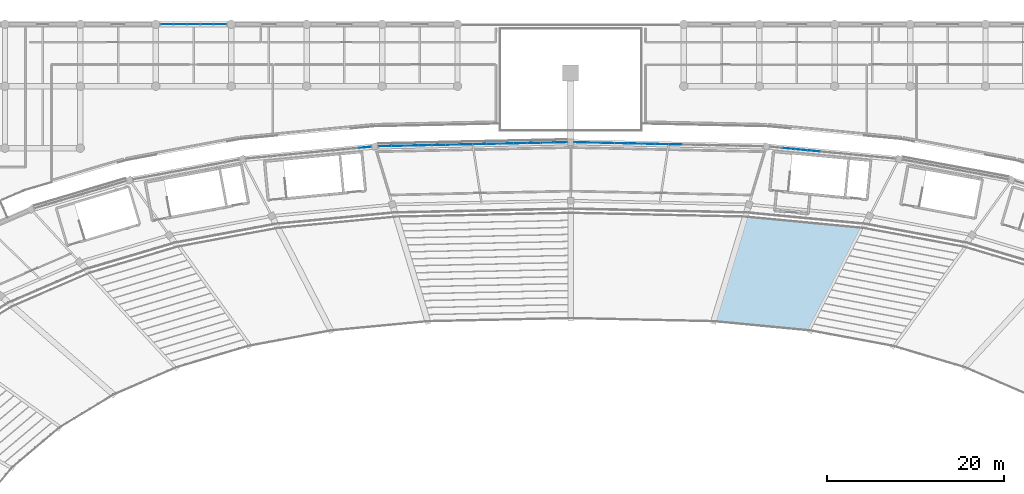
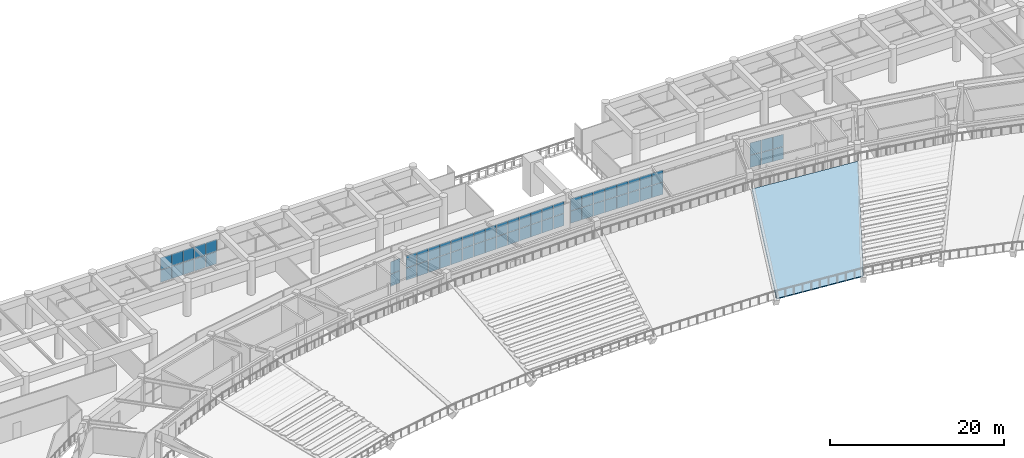
# One storey, part 87 of 137: 62 plates, 1 slab, 5 elements without a shape of their own.
"""IFC4 building model written with IfcOpenShell, lengths in metres."""

from ifc_helpers import new_model, si_unit, direction, frame, origin, origin_2d, place, context, subcontext, project, spatial, polyline, rectangle, outline, extrude, material, layer, layer_set, type_object, element, aggregate, save


model = new_model("IFC4")

# Units and contexts
model_context = context("Model", 3, precision=1e-05, world=origin(), true_north=direction((0.0, 1.0)))
body_context = subcontext(model_context, "Body", "Model", "MODEL_VIEW")
ifc_project = project(units=[si_unit("LENGTHUNIT", "METRE"), si_unit("AREAUNIT", "SQUARE_METRE"), si_unit("VOLUMEUNIT", "CUBIC_METRE"), si_unit("PLANEANGLEUNIT", "RADIAN"), si_unit("MASSUNIT", "GRAM", prefix="KILO")], contexts=[model_context])

# Site, building, storey
site_placement = place(None, origin())
site = spatial("IfcSite", under=ifc_project, at=site_placement, CompositionType="ELEMENT")
building_placement = place(site_placement, origin())
building = spatial("IfcBuilding", under=site, at=building_placement, Name="Mphavela Belvedere Stadium", CompositionType="ELEMENT")
storey_placement = place(building_placement, frame((0.0, 0.0, 19.199951171875)))
storey = spatial("IfcBuildingStorey", under=building, at=storey_placement, Name="L04", CompositionType="ELEMENT", Elevation=19.199951171875)

# Curtain wall, plates
ifc_material_1 = material(Name="Anodised bronze unitised curtain wall framing")
ifc_layer_1 = layer(ifc_material_1, 0.179931640625)
ifc_layer_set_1 = layer_set([ifc_layer_1], Name="Anodised bronze unitised curtain wall framing")
curtain_wall_type_1 = type_object("IfcCurtainWallType", Name="CW-UNIT-01", PredefinedType="USERDEFINED", material=ifc_layer_set_1)
curtain_wall_1_placement = place(storey_placement, origin())
curtain_wall_1 = element("IfcCurtainWall", 1, at=curtain_wall_1_placement, inside=storey, type_object=curtain_wall_type_1, Name="Belvedere colonnade curtain wall L04-11", ObjectType="UNITISED CURTAIN WALL", PredefinedType="USERDEFINED")
ifc_material_2 = material(Name="Solar-control double glazing", Category="glass")
ifc_layer_2 = layer(ifc_material_2, 0.031982421875)
ifc_layer_set_2 = layer_set([ifc_layer_2], Name="Solar-control double glazing")
plate_type = type_object("IfcPlateType", Name="CWP-SOLAR-GLASS", PredefinedType="CURTAIN_PANEL", material=ifc_layer_set_2)
plate_1_placement = place(storey_placement, frame((142.453857421875, 159.6845703125, 0.06005859375), z_axis=(0.0, 0.0, 1.0), x_axis=(-0.995483672335, 0.094932913757, 0.0)))
plate_1 = element("IfcPlate", 2, at=plate_1_placement, type_object=plate_type, Name="CW-01 panel 7.1", PredefinedType="CURTAIN_PANEL", context=body_context, shape_type="SweptSolid", body=[
    extrude(rectangle(XDim=1.367919921875, YDim=0.031982421875, at=origin_2d()), origin(), (0.0, 0.0, 1.0), 1.695068359375),
])
plate_2_placement = place(storey_placement, frame((142.453857421875, 159.6845703125, 1.81494140625), z_axis=(0.0, 0.0, 1.0), x_axis=(-0.995483672335, 0.094932913757, 0.0)))
plate_2 = element("IfcPlate", 3, at=plate_2_placement, type_object=plate_type, Name="CW-01 panel 7.2", PredefinedType="CURTAIN_PANEL", context=body_context, shape_type="SweptSolid", body=[
    extrude(rectangle(XDim=1.367919921875, YDim=0.031982421875, at=origin_2d()), origin(), (0.0, 0.0, 1.0), 1.695068359375),
])
plate_3_placement = place(storey_placement, frame((141.02734375, 159.82080078125, 0.06005859375), z_axis=(0.0, 0.0, 1.0), x_axis=(-0.995483672335, 0.094932913757, 0.0)))
plate_3 = element("IfcPlate", 4, at=plate_3_placement, type_object=plate_type, Name="CW-01 panel 8.1", PredefinedType="CURTAIN_PANEL", context=body_context, shape_type="SweptSolid", body=[
    extrude(rectangle(XDim=1.367919921875, YDim=0.031982421875, at=origin_2d()), origin(), (0.0, 0.0, 1.0), 1.695068359375),
])
plate_4_placement = place(storey_placement, frame((141.02734375, 159.82080078125, 1.81494140625), z_axis=(0.0, 0.0, 1.0), x_axis=(-0.995483672335, 0.094932913757, 0.0)))
plate_4 = element("IfcPlate", 5, at=plate_4_placement, type_object=plate_type, Name="CW-01 panel 8.2", PredefinedType="CURTAIN_PANEL", context=body_context, shape_type="SweptSolid", body=[
    extrude(rectangle(XDim=1.367919921875, YDim=0.031982421875, at=origin_2d()), origin(), (0.0, 0.0, 1.0), 1.695068359375),
])
plate_5_placement = place(storey_placement, frame((139.600830078125, 159.956787109375, 0.06005859375), z_axis=(0.0, 0.0, 1.0), x_axis=(-0.995483672335, 0.094932913757, 0.0)))
plate_5 = element("IfcPlate", 6, at=plate_5_placement, type_object=plate_type, Name="CW-01 panel 9.1", PredefinedType="CURTAIN_PANEL", context=body_context, shape_type="SweptSolid", body=[
    extrude(rectangle(XDim=1.367919921875, YDim=0.031982421875, at=origin_2d()), origin(), (0.0, 0.0, 1.0), 1.695068359375),
])
plate_6_placement = place(storey_placement, frame((139.600830078125, 159.956787109375, 1.81494140625), z_axis=(0.0, 0.0, 1.0), x_axis=(-0.995483672335, 0.094932913757, 0.0)))
plate_6 = element("IfcPlate", 7, at=plate_6_placement, type_object=plate_type, Name="CW-01 panel 9.2", PredefinedType="CURTAIN_PANEL", context=body_context, shape_type="SweptSolid", body=[
    extrude(rectangle(XDim=1.367919921875, YDim=0.031982421875, at=origin_2d()), origin(), (0.0, 0.0, 1.0), 1.695068359375),
])
aggregate(curtain_wall_1, [plate_1, plate_2, plate_3, plate_4, plate_5, plate_6])

ifc_material_3 = material(Name="Anodised bronze unitised curtain wall framing")
ifc_layer_3 = layer(ifc_material_3, 0.18505859375)
ifc_layer_set_3 = layer_set([ifc_layer_3], Name="Anodised bronze unitised curtain wall framing")
curtain_wall_type_2 = type_object("IfcCurtainWallType", Name="CW-UNIT-02", PredefinedType="USERDEFINED", material=ifc_layer_set_3)
curtain_wall_2_placement = place(storey_placement, origin())
curtain_wall_2 = element("IfcCurtainWall", 8, at=curtain_wall_2_placement, inside=storey, type_object=curtain_wall_type_2, Name="Belvedere colonnade curtain wall L04-12", ObjectType="UNITISED CURTAIN WALL", PredefinedType="USERDEFINED")
plate_7_placement = place(storey_placement, frame((126.822265625, 160.41552734375, 0.06005859375), z_axis=(0.0, 0.0, 1.0), x_axis=(-0.999768256617, 0.021527495473, 0.0)))
plate_7 = element("IfcPlate", 9, at=plate_7_placement, type_object=plate_type, Name="CW-02 panel 7.1", PredefinedType="CURTAIN_PANEL", context=body_context, shape_type="SweptSolid", body=[
    extrude(rectangle(XDim=1.46533203125, YDim=0.031982421875, at=origin_2d()), origin(), (0.0, 0.0, 1.0), 1.695068359375),
])
plate_8_placement = place(storey_placement, frame((126.822265625, 160.41552734375, 1.81494140625), z_axis=(0.0, 0.0, 1.0), x_axis=(-0.999768256617, 0.021527495473, 0.0)))
plate_8 = element("IfcPlate", 10, at=plate_8_placement, type_object=plate_type, Name="CW-02 panel 7.2", PredefinedType="CURTAIN_PANEL", context=body_context, shape_type="SweptSolid", body=[
    extrude(rectangle(XDim=1.46533203125, YDim=0.031982421875, at=origin_2d()), origin(), (0.0, 0.0, 1.0), 1.695068359375),
])
plate_9_placement = place(storey_placement, frame((125.292236328125, 160.448486328125, 0.06005859375), z_axis=(0.0, 0.0, 1.0), x_axis=(-0.999768256617, 0.021527495473, 0.0)))
plate_9 = element("IfcPlate", 11, at=plate_9_placement, type_object=plate_type, Name="CW-02 panel 8.1", PredefinedType="CURTAIN_PANEL", context=body_context, shape_type="SweptSolid", body=[
    extrude(rectangle(XDim=1.46533203125, YDim=0.031982421875, at=origin_2d()), origin(), (0.0, 0.0, 1.0), 1.695068359375),
])
plate_10_placement = place(storey_placement, frame((125.292236328125, 160.448486328125, 1.81494140625), z_axis=(0.0, 0.0, 1.0), x_axis=(-0.999768256617, 0.021527495473, 0.0)))
plate_10 = element("IfcPlate", 12, at=plate_10_placement, type_object=plate_type, Name="CW-02 panel 8.2", PredefinedType="CURTAIN_PANEL", context=body_context, shape_type="SweptSolid", body=[
    extrude(rectangle(XDim=1.46533203125, YDim=0.031982421875, at=origin_2d()), origin(), (0.0, 0.0, 1.0), 1.695068359375),
])
plate_11_placement = place(storey_placement, frame((123.762451171875, 160.481201171875, 0.06005859375), z_axis=(0.0, 0.0, 1.0), x_axis=(-0.999768256617, 0.021527495473, 0.0)))
plate_11 = element("IfcPlate", 13, at=plate_11_placement, type_object=plate_type, Name="CW-02 panel 9.1", PredefinedType="CURTAIN_PANEL", context=body_context, shape_type="SweptSolid", body=[
    extrude(rectangle(XDim=1.46533203125, YDim=0.031982421875, at=origin_2d()), origin(), (0.0, 0.0, 1.0), 1.695068359375),
])
plate_12_placement = place(storey_placement, frame((123.762451171875, 160.481201171875, 1.81494140625), z_axis=(0.0, 0.0, 1.0), x_axis=(-0.999768256617, 0.021527495473, 0.0)))
plate_12 = element("IfcPlate", 14, at=plate_12_placement, type_object=plate_type, Name="CW-02 panel 9.2", PredefinedType="CURTAIN_PANEL", context=body_context, shape_type="SweptSolid", body=[
    extrude(rectangle(XDim=1.46533203125, YDim=0.031982421875, at=origin_2d()), origin(), (0.0, 0.0, 1.0), 1.695068359375),
])
plate_13_placement = place(storey_placement, frame((122.232421875, 160.51416015625, 0.06005859375), z_axis=(0.0, 0.0, 1.0), x_axis=(-0.999768256617, 0.021527495473, 0.0)))
plate_13 = element("IfcPlate", 15, at=plate_13_placement, type_object=plate_type, Name="CW-02 panel 10.1", PredefinedType="CURTAIN_PANEL", context=body_context, shape_type="SweptSolid", body=[
    extrude(rectangle(XDim=1.46533203125, YDim=0.031982421875, at=origin_2d()), origin(), (0.0, 0.0, 1.0), 1.695068359375),
])
plate_14_placement = place(storey_placement, frame((122.232421875, 160.51416015625, 1.81494140625), z_axis=(0.0, 0.0, 1.0), x_axis=(-0.999768256617, 0.021527495473, 0.0)))
plate_14 = element("IfcPlate", 16, at=plate_14_placement, type_object=plate_type, Name="CW-02 panel 10.2", PredefinedType="CURTAIN_PANEL", context=body_context, shape_type="SweptSolid", body=[
    extrude(rectangle(XDim=1.46533203125, YDim=0.031982421875, at=origin_2d()), origin(), (0.0, 0.0, 1.0), 1.695068359375),
])
plate_15_placement = place(storey_placement, frame((120.70263671875, 160.547119140625, 0.06005859375), z_axis=(0.0, 0.0, 1.0), x_axis=(-0.999768256617, 0.021527495473, 0.0)))
plate_15 = element("IfcPlate", 17, at=plate_15_placement, type_object=plate_type, Name="CW-02 panel 11.1", PredefinedType="CURTAIN_PANEL", context=body_context, shape_type="SweptSolid", body=[
    extrude(rectangle(XDim=1.46533203125, YDim=0.031982421875, at=origin_2d()), origin(), (0.0, 0.0, 1.0), 1.695068359375),
])
plate_16_placement = place(storey_placement, frame((120.70263671875, 160.547119140625, 1.81494140625), z_axis=(0.0, 0.0, 1.0), x_axis=(-0.999768256617, 0.021527495473, 0.0)))
plate_16 = element("IfcPlate", 18, at=plate_16_placement, type_object=plate_type, Name="CW-02 panel 11.2", PredefinedType="CURTAIN_PANEL", context=body_context, shape_type="SweptSolid", body=[
    extrude(rectangle(XDim=1.46533203125, YDim=0.031982421875, at=origin_2d()), origin(), (0.0, 0.0, 1.0), 1.695068359375),
])
plate_17_placement = place(storey_placement, frame((119.172607421875, 160.580078125, 0.06005859375), z_axis=(0.0, 0.0, 1.0), x_axis=(-0.999768256617, 0.021527495473, 0.0)))
plate_17 = element("IfcPlate", 19, at=plate_17_placement, type_object=plate_type, Name="CW-02 panel 12.1", PredefinedType="CURTAIN_PANEL", context=body_context, shape_type="SweptSolid", body=[
    extrude(rectangle(XDim=1.46533203125, YDim=0.031982421875, at=origin_2d()), origin(), (0.0, 0.0, 1.0), 1.695068359375),
])
plate_18_placement = place(storey_placement, frame((119.172607421875, 160.580078125, 1.81494140625), z_axis=(0.0, 0.0, 1.0), x_axis=(-0.999768256617, 0.021527495473, 0.0)))
plate_18 = element("IfcPlate", 20, at=plate_18_placement, type_object=plate_type, Name="CW-02 panel 12.2", PredefinedType="CURTAIN_PANEL", context=body_context, shape_type="SweptSolid", body=[
    extrude(rectangle(XDim=1.46533203125, YDim=0.031982421875, at=origin_2d()), origin(), (0.0, 0.0, 1.0), 1.695068359375),
])
plate_19_placement = place(storey_placement, frame((117.642822265625, 160.613037109375, 0.06005859375), z_axis=(0.0, 0.0, 1.0), x_axis=(-0.999768256617, 0.021527495473, 0.0)))
plate_19 = element("IfcPlate", 21, at=plate_19_placement, type_object=plate_type, Name="CW-02 panel 13.1", PredefinedType="CURTAIN_PANEL", context=body_context, shape_type="SweptSolid", body=[
    extrude(rectangle(XDim=1.46533203125, YDim=0.031982421875, at=origin_2d()), origin(), (0.0, 0.0, 1.0), 1.695068359375),
])
plate_20_placement = place(storey_placement, frame((117.642822265625, 160.613037109375, 1.81494140625), z_axis=(0.0, 0.0, 1.0), x_axis=(-0.999768256617, 0.021527495473, 0.0)))
plate_20 = element("IfcPlate", 22, at=plate_20_placement, type_object=plate_type, Name="CW-02 panel 13.2", PredefinedType="CURTAIN_PANEL", context=body_context, shape_type="SweptSolid", body=[
    extrude(rectangle(XDim=1.46533203125, YDim=0.031982421875, at=origin_2d()), origin(), (0.0, 0.0, 1.0), 1.695068359375),
])
plate_21_placement = place(storey_placement, frame((116.129150390625, 160.645751953125, 0.06005859375), z_axis=(0.0, 0.0, 1.0), x_axis=(-0.999768256617, 0.021527495473, 0.0)))
plate_21 = element("IfcPlate", 23, at=plate_21_placement, type_object=plate_type, Name="CW-02 panel 14.1", PredefinedType="CURTAIN_PANEL", context=body_context, shape_type="SweptSolid", body=[
    extrude(rectangle(XDim=1.432861328125, YDim=0.031982421875, at=origin_2d()), origin(), (0.0, 0.0, 1.0), 1.695068359375),
])
plate_22_placement = place(storey_placement, frame((116.129150390625, 160.645751953125, 1.81494140625), z_axis=(0.0, 0.0, 1.0), x_axis=(-0.999768256617, 0.021527495473, 0.0)))
plate_22 = element("IfcPlate", 24, at=plate_22_placement, type_object=plate_type, Name="CW-02 panel 14.2", PredefinedType="CURTAIN_PANEL", context=body_context, shape_type="SweptSolid", body=[
    extrude(rectangle(XDim=1.432861328125, YDim=0.031982421875, at=origin_2d()), origin(), (0.0, 0.0, 1.0), 1.695068359375),
])
aggregate(curtain_wall_2, [plate_7, plate_8, plate_9, plate_10, plate_11, plate_12, plate_13, plate_14, plate_15, plate_16, plate_17, plate_18, plate_19, plate_20, plate_21, plate_22])

ifc_material_4 = material(Name="Anodised bronze unitised curtain wall framing")
ifc_layer_4 = layer(ifc_material_4, 0.18994140625)
ifc_layer_set_4 = layer_set([ifc_layer_4], Name="Anodised bronze unitised curtain wall framing")
curtain_wall_type_3 = type_object("IfcCurtainWallType", Name="CW-UNIT-03", PredefinedType="USERDEFINED", material=ifc_layer_set_4)
curtain_wall_3_placement = place(storey_placement, origin())
curtain_wall_3 = element("IfcCurtainWall", 25, at=curtain_wall_3_placement, inside=storey, type_object=curtain_wall_type_3, Name="Belvedere colonnade curtain wall L04-13", ObjectType="UNITISED CURTAIN WALL", PredefinedType="USERDEFINED")
plate_23_placement = place(storey_placement, frame((113.870849609375, 160.645751953125, 0.06005859375), z_axis=(0.0, 0.0, 1.0), x_axis=(-0.999768256617, -0.021527495473, 0.0)))
plate_23 = element("IfcPlate", 26, at=plate_23_placement, type_object=plate_type, Name="CW-03 panel 1.1", PredefinedType="CURTAIN_PANEL", context=body_context, shape_type="SweptSolid", body=[
    extrude(rectangle(XDim=1.432861328125, YDim=0.031982421875, at=origin_2d()), origin(), (0.0, 0.0, 1.0), 1.695068359375),
])
plate_24_placement = place(storey_placement, frame((113.870849609375, 160.645751953125, 1.81494140625), z_axis=(0.0, 0.0, 1.0), x_axis=(-0.999768256617, -0.021527495473, 0.0)))
plate_24 = element("IfcPlate", 27, at=plate_24_placement, type_object=plate_type, Name="CW-03 panel 1.2", PredefinedType="CURTAIN_PANEL", context=body_context, shape_type="SweptSolid", body=[
    extrude(rectangle(XDim=1.432861328125, YDim=0.031982421875, at=origin_2d()), origin(), (0.0, 0.0, 1.0), 1.695068359375),
])
plate_25_placement = place(storey_placement, frame((112.357177734375, 160.613037109375, 0.06005859375), z_axis=(0.0, 0.0, 1.0), x_axis=(-0.999768256617, -0.021527495473, 0.0)))
plate_25 = element("IfcPlate", 28, at=plate_25_placement, type_object=plate_type, Name="CW-03 panel 2.1", PredefinedType="CURTAIN_PANEL", context=body_context, shape_type="SweptSolid", body=[
    extrude(rectangle(XDim=1.46533203125, YDim=0.031982421875, at=origin_2d()), origin(), (0.0, 0.0, 1.0), 1.695068359375),
])
plate_26_placement = place(storey_placement, frame((112.357177734375, 160.613037109375, 1.81494140625), z_axis=(0.0, 0.0, 1.0), x_axis=(-0.999768256617, -0.021527495473, 0.0)))
plate_26 = element("IfcPlate", 29, at=plate_26_placement, type_object=plate_type, Name="CW-03 panel 2.2", PredefinedType="CURTAIN_PANEL", context=body_context, shape_type="SweptSolid", body=[
    extrude(rectangle(XDim=1.46533203125, YDim=0.031982421875, at=origin_2d()), origin(), (0.0, 0.0, 1.0), 1.695068359375),
])
plate_27_placement = place(storey_placement, frame((110.827392578125, 160.580078125, 0.06005859375), z_axis=(0.0, 0.0, 1.0), x_axis=(-0.999768256617, -0.021527495473, 0.0)))
plate_27 = element("IfcPlate", 30, at=plate_27_placement, type_object=plate_type, Name="CW-03 panel 3.1", PredefinedType="CURTAIN_PANEL", context=body_context, shape_type="SweptSolid", body=[
    extrude(rectangle(XDim=1.46533203125, YDim=0.031982421875, at=origin_2d()), origin(), (0.0, 0.0, 1.0), 1.695068359375),
])
plate_28_placement = place(storey_placement, frame((110.827392578125, 160.580078125, 1.81494140625), z_axis=(0.0, 0.0, 1.0), x_axis=(-0.999768256617, -0.021527495473, 0.0)))
plate_28 = element("IfcPlate", 31, at=plate_28_placement, type_object=plate_type, Name="CW-03 panel 3.2", PredefinedType="CURTAIN_PANEL", context=body_context, shape_type="SweptSolid", body=[
    extrude(rectangle(XDim=1.46533203125, YDim=0.031982421875, at=origin_2d()), origin(), (0.0, 0.0, 1.0), 1.695068359375),
])
plate_29_placement = place(storey_placement, frame((109.29736328125, 160.547119140625, 0.06005859375), z_axis=(0.0, 0.0, 1.0), x_axis=(-0.999768256617, -0.021527495473, 0.0)))
plate_29 = element("IfcPlate", 32, at=plate_29_placement, type_object=plate_type, Name="CW-03 panel 4.1", PredefinedType="CURTAIN_PANEL", context=body_context, shape_type="SweptSolid", body=[
    extrude(rectangle(XDim=1.46533203125, YDim=0.031982421875, at=origin_2d()), origin(), (0.0, 0.0, 1.0), 1.695068359375),
])
plate_30_placement = place(storey_placement, frame((109.29736328125, 160.547119140625, 1.81494140625), z_axis=(0.0, 0.0, 1.0), x_axis=(-0.999768256617, -0.021527495473, 0.0)))
plate_30 = element("IfcPlate", 33, at=plate_30_placement, type_object=plate_type, Name="CW-03 panel 4.2", PredefinedType="CURTAIN_PANEL", context=body_context, shape_type="SweptSolid", body=[
    extrude(rectangle(XDim=1.46533203125, YDim=0.031982421875, at=origin_2d()), origin(), (0.0, 0.0, 1.0), 1.695068359375),
])
plate_31_placement = place(storey_placement, frame((107.767578125, 160.51416015625, 0.06005859375), z_axis=(0.0, 0.0, 1.0), x_axis=(-0.999768256617, -0.021527495473, 0.0)))
plate_31 = element("IfcPlate", 34, at=plate_31_placement, type_object=plate_type, Name="CW-03 panel 5.1", PredefinedType="CURTAIN_PANEL", context=body_context, shape_type="SweptSolid", body=[
    extrude(rectangle(XDim=1.46533203125, YDim=0.031982421875, at=origin_2d()), origin(), (0.0, 0.0, 1.0), 1.695068359375),
])
plate_32_placement = place(storey_placement, frame((107.767578125, 160.51416015625, 1.81494140625), z_axis=(0.0, 0.0, 1.0), x_axis=(-0.999768256617, -0.021527495473, 0.0)))
plate_32 = element("IfcPlate", 35, at=plate_32_placement, type_object=plate_type, Name="CW-03 panel 5.2", PredefinedType="CURTAIN_PANEL", context=body_context, shape_type="SweptSolid", body=[
    extrude(rectangle(XDim=1.46533203125, YDim=0.031982421875, at=origin_2d()), origin(), (0.0, 0.0, 1.0), 1.695068359375),
])
plate_33_placement = place(storey_placement, frame((106.237548828125, 160.481201171875, 0.06005859375), z_axis=(0.0, 0.0, 1.0), x_axis=(-0.999768256617, -0.021527495473, 0.0)))
plate_33 = element("IfcPlate", 36, at=plate_33_placement, type_object=plate_type, Name="CW-03 panel 6.1", PredefinedType="CURTAIN_PANEL", context=body_context, shape_type="SweptSolid", body=[
    extrude(rectangle(XDim=1.46533203125, YDim=0.031982421875, at=origin_2d()), origin(), (0.0, 0.0, 1.0), 1.695068359375),
])
plate_34_placement = place(storey_placement, frame((106.237548828125, 160.481201171875, 1.81494140625), z_axis=(0.0, 0.0, 1.0), x_axis=(-0.999768256617, -0.021527495473, 0.0)))
plate_34 = element("IfcPlate", 37, at=plate_34_placement, type_object=plate_type, Name="CW-03 panel 6.2", PredefinedType="CURTAIN_PANEL", context=body_context, shape_type="SweptSolid", body=[
    extrude(rectangle(XDim=1.46533203125, YDim=0.031982421875, at=origin_2d()), origin(), (0.0, 0.0, 1.0), 1.695068359375),
])
plate_35_placement = place(storey_placement, frame((104.707763671875, 160.448486328125, 0.06005859375), z_axis=(0.0, 0.0, 1.0), x_axis=(-0.999768256617, -0.021527495473, 0.0)))
plate_35 = element("IfcPlate", 38, at=plate_35_placement, type_object=plate_type, Name="CW-03 panel 7.1", PredefinedType="CURTAIN_PANEL", context=body_context, shape_type="SweptSolid", body=[
    extrude(rectangle(XDim=1.46533203125, YDim=0.031982421875, at=origin_2d()), origin(), (0.0, 0.0, 1.0), 1.695068359375),
])
plate_36_placement = place(storey_placement, frame((104.707763671875, 160.448486328125, 1.81494140625), z_axis=(0.0, 0.0, 1.0), x_axis=(-0.999768256617, -0.021527495473, 0.0)))
plate_36 = element("IfcPlate", 39, at=plate_36_placement, type_object=plate_type, Name="CW-03 panel 7.2", PredefinedType="CURTAIN_PANEL", context=body_context, shape_type="SweptSolid", body=[
    extrude(rectangle(XDim=1.46533203125, YDim=0.031982421875, at=origin_2d()), origin(), (0.0, 0.0, 1.0), 1.695068359375),
])
plate_37_placement = place(storey_placement, frame((103.177734375, 160.41552734375, 0.06005859375), z_axis=(0.0, 0.0, 1.0), x_axis=(-0.999768256617, -0.021527495473, 0.0)))
plate_37 = element("IfcPlate", 40, at=plate_37_placement, type_object=plate_type, Name="CW-03 panel 8.1", PredefinedType="CURTAIN_PANEL", context=body_context, shape_type="SweptSolid", body=[
    extrude(rectangle(XDim=1.46533203125, YDim=0.031982421875, at=origin_2d()), origin(), (0.0, 0.0, 1.0), 1.695068359375),
])
plate_38_placement = place(storey_placement, frame((103.177734375, 160.41552734375, 1.81494140625), z_axis=(0.0, 0.0, 1.0), x_axis=(-0.999768256617, -0.021527495473, 0.0)))
plate_38 = element("IfcPlate", 41, at=plate_38_placement, type_object=plate_type, Name="CW-03 panel 8.2", PredefinedType="CURTAIN_PANEL", context=body_context, shape_type="SweptSolid", body=[
    extrude(rectangle(XDim=1.46533203125, YDim=0.031982421875, at=origin_2d()), origin(), (0.0, 0.0, 1.0), 1.695068359375),
])
plate_39_placement = place(storey_placement, frame((101.64794921875, 160.382568359375, 0.06005859375), z_axis=(0.0, 0.0, 1.0), x_axis=(-0.999768256617, -0.021527495473, 0.0)))
plate_39 = element("IfcPlate", 42, at=plate_39_placement, type_object=plate_type, Name="CW-03 panel 9.1", PredefinedType="CURTAIN_PANEL", context=body_context, shape_type="SweptSolid", body=[
    extrude(rectangle(XDim=1.46533203125, YDim=0.031982421875, at=origin_2d()), origin(), (0.0, 0.0, 1.0), 1.695068359375),
])
plate_40_placement = place(storey_placement, frame((101.64794921875, 160.382568359375, 1.81494140625), z_axis=(0.0, 0.0, 1.0), x_axis=(-0.999768256617, -0.021527495473, 0.0)))
plate_40 = element("IfcPlate", 43, at=plate_40_placement, type_object=plate_type, Name="CW-03 panel 9.2", PredefinedType="CURTAIN_PANEL", context=body_context, shape_type="SweptSolid", body=[
    extrude(rectangle(XDim=1.46533203125, YDim=0.031982421875, at=origin_2d()), origin(), (0.0, 0.0, 1.0), 1.695068359375),
])
plate_41_placement = place(storey_placement, frame((100.117919921875, 160.349609375, 0.06005859375), z_axis=(0.0, 0.0, 1.0), x_axis=(-0.999768256617, -0.021527495473, 0.0)))
plate_41 = element("IfcPlate", 44, at=plate_41_placement, type_object=plate_type, Name="CW-03 panel 10.1", PredefinedType="CURTAIN_PANEL", context=body_context, shape_type="SweptSolid", body=[
    extrude(rectangle(XDim=1.46533203125, YDim=0.031982421875, at=origin_2d()), origin(), (0.0, 0.0, 1.0), 1.695068359375),
])
plate_42_placement = place(storey_placement, frame((100.117919921875, 160.349609375, 1.81494140625), z_axis=(0.0, 0.0, 1.0), x_axis=(-0.999768256617, -0.021527495473, 0.0)))
plate_42 = element("IfcPlate", 45, at=plate_42_placement, type_object=plate_type, Name="CW-03 panel 10.2", PredefinedType="CURTAIN_PANEL", context=body_context, shape_type="SweptSolid", body=[
    extrude(rectangle(XDim=1.46533203125, YDim=0.031982421875, at=origin_2d()), origin(), (0.0, 0.0, 1.0), 1.695068359375),
])
plate_43_placement = place(storey_placement, frame((98.587890625, 160.316650390625, 0.06005859375), z_axis=(0.0, 0.0, 1.0), x_axis=(-0.999768256617, -0.021527495473, 0.0)))
plate_43 = element("IfcPlate", 46, at=plate_43_placement, type_object=plate_type, Name="CW-03 panel 11.1", PredefinedType="CURTAIN_PANEL", context=body_context, shape_type="SweptSolid", body=[
    extrude(rectangle(XDim=1.46533203125, YDim=0.031982421875, at=origin_2d()), origin(), (0.0, 0.0, 1.0), 1.695068359375),
])
plate_44_placement = place(storey_placement, frame((98.587890625, 160.316650390625, 1.81494140625), z_axis=(0.0, 0.0, 1.0), x_axis=(-0.999768256617, -0.021527495473, 0.0)))
plate_44 = element("IfcPlate", 47, at=plate_44_placement, type_object=plate_type, Name="CW-03 panel 11.2", PredefinedType="CURTAIN_PANEL", context=body_context, shape_type="SweptSolid", body=[
    extrude(rectangle(XDim=1.46533203125, YDim=0.031982421875, at=origin_2d()), origin(), (0.0, 0.0, 1.0), 1.695068359375),
])
plate_45_placement = place(storey_placement, frame((97.05810546875, 160.28369140625, 0.06005859375), z_axis=(0.0, 0.0, 1.0), x_axis=(-0.999768256617, -0.021527495473, 0.0)))
plate_45 = element("IfcPlate", 48, at=plate_45_placement, type_object=plate_type, Name="CW-03 panel 12.1", PredefinedType="CURTAIN_PANEL", context=body_context, shape_type="SweptSolid", body=[
    extrude(rectangle(XDim=1.46533203125, YDim=0.031982421875, at=origin_2d()), origin(), (0.0, 0.0, 1.0), 1.695068359375),
])
plate_46_placement = place(storey_placement, frame((97.05810546875, 160.28369140625, 1.81494140625), z_axis=(0.0, 0.0, 1.0), x_axis=(-0.999768256617, -0.021527495473, 0.0)))
plate_46 = element("IfcPlate", 49, at=plate_46_placement, type_object=plate_type, Name="CW-03 panel 12.2", PredefinedType="CURTAIN_PANEL", context=body_context, shape_type="SweptSolid", body=[
    extrude(rectangle(XDim=1.46533203125, YDim=0.031982421875, at=origin_2d()), origin(), (0.0, 0.0, 1.0), 1.695068359375),
])
plate_47_placement = place(storey_placement, frame((95.528076171875, 160.250732421875, 0.06005859375), z_axis=(0.0, 0.0, 1.0), x_axis=(-0.999768256617, -0.021527495473, 0.0)))
plate_47 = element("IfcPlate", 50, at=plate_47_placement, type_object=plate_type, Name="CW-03 panel 13.1", PredefinedType="CURTAIN_PANEL", context=body_context, shape_type="SweptSolid", body=[
    extrude(rectangle(XDim=1.46533203125, YDim=0.031982421875, at=origin_2d()), origin(), (0.0, 0.0, 1.0), 1.695068359375),
])
plate_48_placement = place(storey_placement, frame((95.528076171875, 160.250732421875, 1.81494140625), z_axis=(0.0, 0.0, 1.0), x_axis=(-0.999768256617, -0.021527495473, 0.0)))
plate_48 = element("IfcPlate", 51, at=plate_48_placement, type_object=plate_type, Name="CW-03 panel 13.2", PredefinedType="CURTAIN_PANEL", context=body_context, shape_type="SweptSolid", body=[
    extrude(rectangle(XDim=1.46533203125, YDim=0.031982421875, at=origin_2d()), origin(), (0.0, 0.0, 1.0), 1.695068359375),
])
plate_49_placement = place(storey_placement, frame((94.014404296875, 160.218017578125, 0.06005859375), z_axis=(0.0, 0.0, 1.0), x_axis=(-0.999768256617, -0.021527495473, 0.0)))
plate_49 = element("IfcPlate", 52, at=plate_49_placement, type_object=plate_type, Name="CW-03 panel 14.1", PredefinedType="CURTAIN_PANEL", context=body_context, shape_type="SweptSolid", body=[
    extrude(rectangle(XDim=1.432861328125, YDim=0.031982421875, at=origin_2d()), origin(), (0.0, 0.0, 1.0), 1.695068359375),
])
plate_50_placement = place(storey_placement, frame((94.014404296875, 160.218017578125, 1.81494140625), z_axis=(0.0, 0.0, 1.0), x_axis=(-0.999768256617, -0.021527495473, 0.0)))
plate_50 = element("IfcPlate", 53, at=plate_50_placement, type_object=plate_type, Name="CW-03 panel 14.2", PredefinedType="CURTAIN_PANEL", context=body_context, shape_type="SweptSolid", body=[
    extrude(rectangle(XDim=1.432861328125, YDim=0.031982421875, at=origin_2d()), origin(), (0.0, 0.0, 1.0), 1.695068359375),
])
aggregate(curtain_wall_3, [plate_23, plate_24, plate_25, plate_26, plate_27, plate_28, plate_29, plate_30, plate_31, plate_32, plate_33, plate_34, plate_35, plate_36, plate_37, plate_38, plate_39, plate_40, plate_41, plate_42, plate_43, plate_44, plate_45, plate_46, plate_47, plate_48, plate_49, plate_50])

ifc_material_5 = material(Name="Anodised bronze unitised curtain wall framing")
ifc_layer_5 = layer(ifc_material_5, 0.195068359375)
ifc_layer_set_5 = layer_set([ifc_layer_5], Name="Anodised bronze unitised curtain wall framing")
curtain_wall_type_4 = type_object("IfcCurtainWallType", Name="CW-UNIT-04", PredefinedType="USERDEFINED", material=ifc_layer_set_5)
curtain_wall_4_placement = place(storey_placement, origin())
curtain_wall_4 = element("IfcCurtainWall", 54, at=curtain_wall_4_placement, inside=storey, type_object=curtain_wall_type_4, Name="Belvedere colonnade curtain wall L04-14", ObjectType="UNITISED CURTAIN WALL", PredefinedType="USERDEFINED")
plate_51_placement = place(storey_placement, frame((91.8095703125, 160.09130859375, 0.06005859375), z_axis=(0.0, 0.0, 1.0), x_axis=(-0.995483672335, -0.094932913757, 0.0)))
plate_51 = element("IfcPlate", 55, at=plate_51_placement, type_object=plate_type, Name="CW-04 panel 1.1", PredefinedType="CURTAIN_PANEL", context=body_context, shape_type="SweptSolid", body=[
    extrude(rectangle(XDim=1.33544921875, YDim=0.031982421875, at=origin_2d()), origin(), (0.0, 0.0, 1.0), 1.695068359375),
])
plate_52_placement = place(storey_placement, frame((91.8095703125, 160.09130859375, 1.81494140625), z_axis=(0.0, 0.0, 1.0), x_axis=(-0.995483672335, -0.094932913757, 0.0)))
plate_52 = element("IfcPlate", 56, at=plate_52_placement, type_object=plate_type, Name="CW-04 panel 1.2", PredefinedType="CURTAIN_PANEL", context=body_context, shape_type="SweptSolid", body=[
    extrude(rectangle(XDim=1.33544921875, YDim=0.031982421875, at=origin_2d()), origin(), (0.0, 0.0, 1.0), 1.695068359375),
])
aggregate(curtain_wall_4, [plate_51, plate_52])

ifc_material_6 = material(Name="Anodised bronze unitised curtain wall framing")
ifc_layer_6 = layer(ifc_material_6, 0.199951171875)
ifc_layer_set_6 = layer_set([ifc_layer_6], Name="Anodised bronze unitised curtain wall framing")
curtain_wall_type_5 = type_object("IfcCurtainWallType", Name="CW-UNIT-05", PredefinedType="USERDEFINED", material=ifc_layer_set_6)
curtain_wall_5_placement = place(storey_placement, origin())
curtain_wall_5 = element("IfcCurtainWall", 57, at=curtain_wall_5_placement, inside=storey, type_object=curtain_wall_type_5, Name="North Mast and Ceremonial End Forecourt gallery curtain wall L04-09", ObjectType="UNITISED CURTAIN WALL", PredefinedType="USERDEFINED")
plate_53_placement = place(storey_placement, frame((69.39453125, 174.0, 0.06005859375), z_axis=(0.0, 0.0, 1.0), x_axis=(1.0, 0.0, 0.0)))
plate_53 = element("IfcPlate", 58, at=plate_53_placement, type_object=plate_type, Name="CW-05 panel 1.1", PredefinedType="CURTAIN_PANEL", context=body_context, shape_type="SweptSolid", body=[
    extrude(rectangle(XDim=1.4169921875, YDim=0.031982421875, at=origin_2d()), origin(), (0.0, 0.0, 1.0), 1.68994140625),
])
plate_54_placement = place(storey_placement, frame((69.39453125, 174.0, 1.81005859375), z_axis=(0.0, 0.0, 1.0), x_axis=(1.0, 0.0, 0.0)))
plate_54 = element("IfcPlate", 59, at=plate_54_placement, type_object=plate_type, Name="CW-05 panel 1.2", PredefinedType="CURTAIN_PANEL", context=body_context, shape_type="SweptSolid", body=[
    extrude(rectangle(XDim=1.4169921875, YDim=0.031982421875, at=origin_2d()), origin(), (0.0, 0.0, 1.0), 1.68994140625),
])
plate_55_placement = place(storey_placement, frame((70.892822265625, 174.0, 0.06005859375), z_axis=(0.0, 0.0, 1.0), x_axis=(1.0, 0.0, 0.0)))
plate_55 = element("IfcPlate", 60, at=plate_55_placement, type_object=plate_type, Name="CW-05 panel 2.1", PredefinedType="CURTAIN_PANEL", context=body_context, shape_type="SweptSolid", body=[
    extrude(rectangle(XDim=1.44970703125, YDim=0.031982421875, at=origin_2d()), origin(), (0.0, 0.0, 1.0), 1.68994140625),
])
plate_56_placement = place(storey_placement, frame((70.892822265625, 174.0, 1.81005859375), z_axis=(0.0, 0.0, 1.0), x_axis=(1.0, 0.0, 0.0)))
plate_56 = element("IfcPlate", 61, at=plate_56_placement, type_object=plate_type, Name="CW-05 panel 2.2", PredefinedType="CURTAIN_PANEL", context=body_context, shape_type="SweptSolid", body=[
    extrude(rectangle(XDim=1.44970703125, YDim=0.031982421875, at=origin_2d()), origin(), (0.0, 0.0, 1.0), 1.68994140625),
])
plate_57_placement = place(storey_placement, frame((72.407470703125, 174.0, 0.06005859375), z_axis=(0.0, 0.0, 1.0), x_axis=(1.0, 0.0, 0.0)))
plate_57 = element("IfcPlate", 62, at=plate_57_placement, type_object=plate_type, Name="CW-05 panel 3.1", PredefinedType="CURTAIN_PANEL", context=body_context, shape_type="SweptSolid", body=[
    extrude(rectangle(XDim=1.44970703125, YDim=0.031982421875, at=origin_2d()), origin(), (0.0, 0.0, 1.0), 1.68994140625),
])
plate_58_placement = place(storey_placement, frame((72.407470703125, 174.0, 1.81005859375), z_axis=(0.0, 0.0, 1.0), x_axis=(1.0, 0.0, 0.0)))
plate_58 = element("IfcPlate", 63, at=plate_58_placement, type_object=plate_type, Name="CW-05 panel 3.2", PredefinedType="CURTAIN_PANEL", context=body_context, shape_type="SweptSolid", body=[
    extrude(rectangle(XDim=1.44970703125, YDim=0.031982421875, at=origin_2d()), origin(), (0.0, 0.0, 1.0), 1.68994140625),
])
plate_59_placement = place(storey_placement, frame((73.922119140625, 174.0, 0.06005859375), z_axis=(0.0, 0.0, 1.0), x_axis=(1.0, 0.0, 0.0)))
plate_59 = element("IfcPlate", 64, at=plate_59_placement, type_object=plate_type, Name="CW-05 panel 4.1", PredefinedType="CURTAIN_PANEL", context=body_context, shape_type="SweptSolid", body=[
    extrude(rectangle(XDim=1.44970703125, YDim=0.031982421875, at=origin_2d()), origin(), (0.0, 0.0, 1.0), 1.68994140625),
])
plate_60_placement = place(storey_placement, frame((73.922119140625, 174.0, 1.81005859375), z_axis=(0.0, 0.0, 1.0), x_axis=(1.0, 0.0, 0.0)))
plate_60 = element("IfcPlate", 65, at=plate_60_placement, type_object=plate_type, Name="CW-05 panel 4.2", PredefinedType="CURTAIN_PANEL", context=body_context, shape_type="SweptSolid", body=[
    extrude(rectangle(XDim=1.44970703125, YDim=0.031982421875, at=origin_2d()), origin(), (0.0, 0.0, 1.0), 1.68994140625),
])
plate_61_placement = place(storey_placement, frame((75.42041015625, 174.0, 0.06005859375), z_axis=(0.0, 0.0, 1.0), x_axis=(1.0, 0.0, 0.0)))
plate_61 = element("IfcPlate", 66, at=plate_61_placement, type_object=plate_type, Name="CW-05 panel 5.1", PredefinedType="CURTAIN_PANEL", context=body_context, shape_type="SweptSolid", body=[
    extrude(rectangle(XDim=1.4169921875, YDim=0.031982421875, at=origin_2d()), origin(), (0.0, 0.0, 1.0), 1.68994140625),
])
plate_62_placement = place(storey_placement, frame((75.42041015625, 174.0, 1.81005859375), z_axis=(0.0, 0.0, 1.0), x_axis=(1.0, 0.0, 0.0)))
plate_62 = element("IfcPlate", 67, at=plate_62_placement, type_object=plate_type, Name="CW-05 panel 5.2", PredefinedType="CURTAIN_PANEL", context=body_context, shape_type="SweptSolid", body=[
    extrude(rectangle(XDim=1.4169921875, YDim=0.031982421875, at=origin_2d()), origin(), (0.0, 0.0, 1.0), 1.68994140625),
])
aggregate(curtain_wall_5, [plate_53, plate_54, plate_55, plate_56, plate_57, plate_58, plate_59, plate_60, plate_61, plate_62])

# Slab
ifc_material_7 = material(Name="Precast concrete C45/55", Category="concrete")
ifc_layer_7 = layer(ifc_material_7, 0.25)
ifc_layer_set_7 = layer_set([ifc_layer_7], Name="Precast concrete C45/55")
slab_type = type_object("IfcSlabType", Name="SLB-TIER-UPPER", PredefinedType="USERDEFINED", material=ifc_layer_set_7)
slab_placement = place(storey_placement, frame((142.0703125, 139.40380859375, -3.75), z_axis=(-0.04755214528, -0.498710276017, 0.865463375351), x_axis=(-0.995484581752, 0.094923376943, 2.121477e-06)))
element("IfcSlab", 68, at=slab_placement, inside=storey, type_object=slab_type, Name="Upper seating tier slab L04-11", ObjectType="SEATING TIER", PredefinedType="USERDEFINED", context=body_context, shape_type="SweptSolid", body=[
    extrude(outline(polyline([(0.0, 0.0), (10.971907310655197, 1.1102230246251565e-16), (8.541466471029594, -13.972795035418738), (-4.85446120757324, -13.972898226370868), (0.0, 0.0)])), origin(), (0.0, 0.0, -1.0), 0.25),
])

save(model, "model.ifc")
